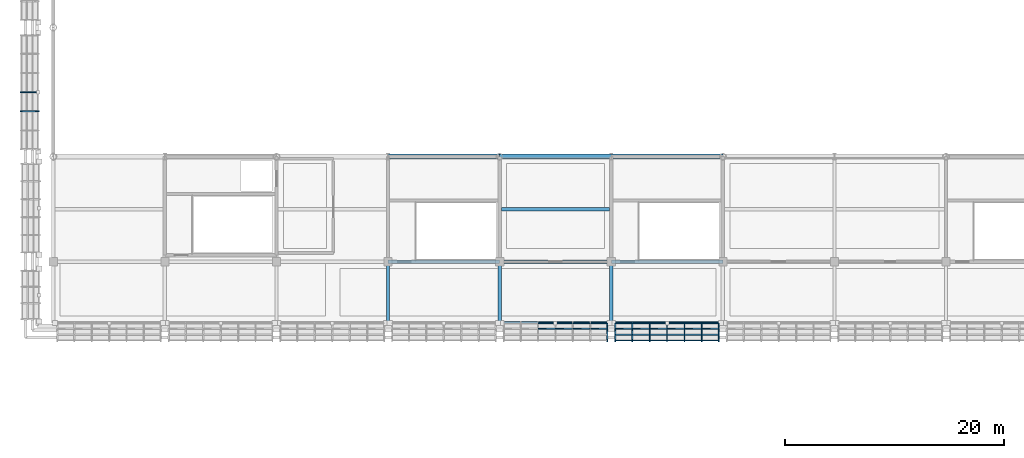
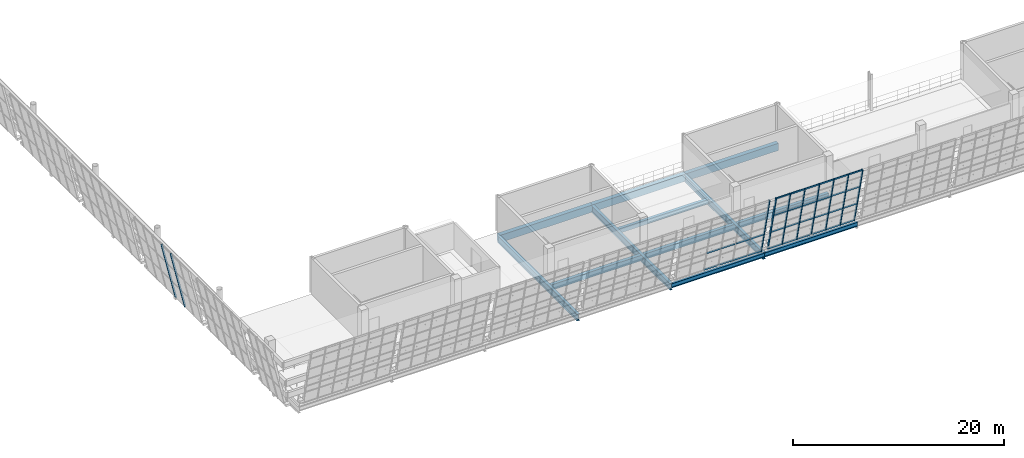
# One storey, part 25 of 157: 42 members, 12 beams, 3 elements without a shape of their own.
"""IFC4 building model written with IfcOpenShell, lengths in metres."""

from ifc_helpers import new_model, si_unit, direction, frame, origin, origin_2d, place, context, subcontext, project, spatial, rectangle, hollow_rectangle, i_section, extrude, material, material_profile, profile_set, type_object, element, aggregate, save


model = new_model("IFC4")

# Units and contexts
model_context = context("Model", 3, precision=1e-05, world=origin(), true_north=direction((0.0, 1.0)))
body_context = subcontext(model_context, "Body", "Model", "MODEL_VIEW")
ifc_project = project(units=[si_unit("LENGTHUNIT", "METRE"), si_unit("AREAUNIT", "SQUARE_METRE"), si_unit("VOLUMEUNIT", "CUBIC_METRE"), si_unit("PLANEANGLEUNIT", "RADIAN"), si_unit("MASSUNIT", "GRAM", prefix="KILO")], contexts=[model_context])

# Site, building, storey
site_placement = place(None, origin())
site = spatial("IfcSite", under=ifc_project, at=site_placement, CompositionType="ELEMENT")
building_placement = place(site_placement, origin())
building = spatial("IfcBuilding", under=site, at=building_placement, Name="Brelvane Convention Centre", CompositionType="ELEMENT")
storey_placement = place(building_placement, frame((0.0, 0.0, 10.800048828125)))
storey = spatial("IfcBuildingStorey", under=building, at=storey_placement, Name="L02", CompositionType="ELEMENT", Elevation=10.800048828125)

# Curtain wall, member
ifc_material_1 = material(Name="Anodised Aluminium Alloy 6063-T6", Category="aluminium")
curtain_wall_type = type_object("IfcCurtainWallType", Name="Curtain Wall CW-HULL-S", PredefinedType="USERDEFINED", material=ifc_material_1)
curtain_wall_1_placement = place(storey_placement, origin())
curtain_wall_1 = element("IfcCurtainWall", 1, at=curtain_wall_1_placement, inside=storey, type_object=curtain_wall_type, Name="Curtain Wall CW-HULL-S L02-HULL-S-L02-05", ObjectType="UNITISED", PredefinedType="USERDEFINED")
ifc_material_2 = material(Name="Anodised Aluminium Alloy 6063-T6", Category="aluminium")
ifc_material_profile_1 = material_profile(ifc_material_2, hollow_rectangle(XDim=0.080078125, YDim=0.239990234375, WallThickness=0.006103515625, InnerFilletRadius=0.006103515625, OuterFilletRadius=0.011962890625, at=origin_2d()), Name="ALU-M 240x80x6.0")
ifc_profile_set_1 = profile_set([ifc_material_profile_1], Name="Anodised Aluminium Alloy 6063-T6")
member_type_1 = type_object("IfcMemberType", Name="Curtain Mullion CW-M1", PredefinedType="MULLION", material=ifc_profile_set_1)
member_1_placement = place(storey_placement, frame((50.639892578125, 13.60009765625, 0.0), z_axis=(0.0, -0.228360410362, 0.973576665178), x_axis=(1.0, 0.0, 0.0)))
member_1 = element("IfcMember", 2, at=member_1_placement, type_object=member_type_1, Name="CW-HULL-S mullion 7", PredefinedType="MULLION", context=body_context, shape_type="SweptSolid", body=[
    extrude(hollow_rectangle(XDim=0.080078125, YDim=0.239990234375, WallThickness=0.006103515625, InnerFilletRadius=0.006103515625, OuterFilletRadius=0.011962890625, at=origin_2d()), origin(), (0.0, 0.0, 1.0), 7.03564453125),
])

# Curtain wall, members
curtain_wall_2_placement = place(storey_placement, origin())
curtain_wall_2 = element("IfcCurtainWall", 3, at=curtain_wall_2_placement, inside=storey, type_object=curtain_wall_type, Name="Curtain Wall CW-HULL-S L02-HULL-S-L02-06", ObjectType="UNITISED", PredefinedType="USERDEFINED")
member_2_placement = place(storey_placement, frame((51.360107421875, 13.60009765625, 0.0), z_axis=(0.0, -0.228360410362, 0.973576665178), x_axis=(1.0, 0.0, 0.0)))
member_2 = element("IfcMember", 4, at=member_2_placement, type_object=member_type_1, Name="CW-HULL-S mullion 1", PredefinedType="MULLION", context=body_context, shape_type="SweptSolid", body=[
    extrude(hollow_rectangle(XDim=0.080078125, YDim=0.239990234375, WallThickness=0.006103515625, InnerFilletRadius=0.006103515625, OuterFilletRadius=0.011962890625, at=origin_2d()), origin(), (0.0, 0.0, 1.0), 7.03564453125),
])
member_3_placement = place(storey_placement, frame((52.913330078125, 13.60009765625, 0.0), z_axis=(0.0, -0.228360410362, 0.973576665178), x_axis=(1.0, 0.0, 0.0)))
member_3 = element("IfcMember", 5, at=member_3_placement, type_object=member_type_1, Name="CW-HULL-S mullion 2", PredefinedType="MULLION", context=body_context, shape_type="SweptSolid", body=[
    extrude(hollow_rectangle(XDim=0.080078125, YDim=0.239990234375, WallThickness=0.006103515625, InnerFilletRadius=0.006103515625, OuterFilletRadius=0.011962890625, at=origin_2d()), origin(), (0.0, 0.0, 1.0), 7.03564453125),
])
member_4_placement = place(storey_placement, frame((54.506591796875, 13.60009765625, 0.0), z_axis=(0.0, -0.228360410362, 0.973576665178), x_axis=(1.0, 0.0, 0.0)))
member_4 = element("IfcMember", 6, at=member_4_placement, type_object=member_type_1, Name="CW-HULL-S mullion 3", PredefinedType="MULLION", context=body_context, shape_type="SweptSolid", body=[
    extrude(hollow_rectangle(XDim=0.080078125, YDim=0.239990234375, WallThickness=0.006103515625, InnerFilletRadius=0.006103515625, OuterFilletRadius=0.011962890625, at=origin_2d()), origin(), (0.0, 0.0, 1.0), 7.03564453125),
])
member_5_placement = place(storey_placement, frame((56.10009765625, 13.60009765625, 0.0), z_axis=(0.0, -0.228360410362, 0.973576665178), x_axis=(1.0, 0.0, 0.0)))
member_5 = element("IfcMember", 7, at=member_5_placement, type_object=member_type_1, Name="CW-HULL-S mullion 4", PredefinedType="MULLION", context=body_context, shape_type="SweptSolid", body=[
    extrude(hollow_rectangle(XDim=0.080078125, YDim=0.239990234375, WallThickness=0.006103515625, InnerFilletRadius=0.006103515625, OuterFilletRadius=0.011962890625, at=origin_2d()), origin(), (0.0, 0.0, 1.0), 7.03564453125),
])
member_6_placement = place(storey_placement, frame((57.693359375, 13.60009765625, 0.0), z_axis=(0.0, -0.228360410362, 0.973576665178), x_axis=(1.0, 0.0, 0.0)))
member_6 = element("IfcMember", 8, at=member_6_placement, type_object=member_type_1, Name="CW-HULL-S mullion 5", PredefinedType="MULLION", context=body_context, shape_type="SweptSolid", body=[
    extrude(hollow_rectangle(XDim=0.080078125, YDim=0.239990234375, WallThickness=0.006103515625, InnerFilletRadius=0.006103515625, OuterFilletRadius=0.011962890625, at=origin_2d()), origin(), (0.0, 0.0, 1.0), 7.03564453125),
])
member_7_placement = place(storey_placement, frame((59.28662109375, 13.60009765625, 0.0), z_axis=(0.0, -0.228360410362, 0.973576665178), x_axis=(1.0, 0.0, 0.0)))
member_7 = element("IfcMember", 9, at=member_7_placement, type_object=member_type_1, Name="CW-HULL-S mullion 6", PredefinedType="MULLION", context=body_context, shape_type="SweptSolid", body=[
    extrude(hollow_rectangle(XDim=0.080078125, YDim=0.239990234375, WallThickness=0.006103515625, InnerFilletRadius=0.006103515625, OuterFilletRadius=0.011962890625, at=origin_2d()), origin(), (0.0, 0.0, 1.0), 7.03564453125),
])
member_8_placement = place(storey_placement, frame((60.840087890625, 13.60009765625, 0.0), z_axis=(0.0, -0.228360410362, 0.973576665178), x_axis=(1.0, 0.0, 0.0)))
member_8 = element("IfcMember", 10, at=member_8_placement, type_object=member_type_1, Name="CW-HULL-S mullion 7", PredefinedType="MULLION", context=body_context, shape_type="SweptSolid", body=[
    extrude(hollow_rectangle(XDim=0.080078125, YDim=0.239990234375, WallThickness=0.006103515625, InnerFilletRadius=0.006103515625, OuterFilletRadius=0.011962890625, at=origin_2d()), origin(), (0.0, 0.0, 1.0), 7.03564453125),
])

curtain_wall_3_placement = place(storey_placement, origin())
curtain_wall_3 = element("IfcCurtainWall", 11, at=curtain_wall_3_placement, inside=storey, type_object=curtain_wall_type, Name="Curtain Wall CW-HULL-S L02-HULL-W-L02-1", ObjectType="UNITISED", PredefinedType="USERDEFINED")
ifc_material_3 = material(Name="Anodised Aluminium Alloy 6063-T6", Category="aluminium")
ifc_material_profile_2 = material_profile(ifc_material_3, hollow_rectangle(XDim=0.074951171875, YDim=0.199951171875, WallThickness=0.0048828125, InnerFilletRadius=0.0048828125, OuterFilletRadius=0.010009765625, at=origin_2d()), Name="ALU-M 200x75x5.0")
ifc_profile_set_2 = profile_set([ifc_material_profile_2], Name="Anodised Aluminium Alloy 6063-T6")
member_type_2 = type_object("IfcMemberType", Name="Curtain Mullion CW-M2", PredefinedType="MULLION", material=ifc_profile_set_2)
member_9_placement = place(storey_placement, frame((-1.360107421875, 32.949951171875, 0.0), z_axis=(-0.228324840492, 0.0, 0.973585007698), x_axis=(0.0, -1.0, 0.0)))
member_9 = element("IfcMember", 12, at=member_9_placement, type_object=member_type_2, Name="CW-HULL-S mullion 3", PredefinedType="MULLION", context=body_context, shape_type="SweptSolid", body=[
    extrude(hollow_rectangle(XDim=0.074951171875, YDim=0.199951171875, WallThickness=0.0048828125, InnerFilletRadius=0.0048828125, OuterFilletRadius=0.010009765625, at=origin_2d()), origin(), (0.0, 0.0, 1.0), 6.93310546875),
])
member_10_placement = place(storey_placement, frame((-1.360107421875, 34.699951171875, 0.0), z_axis=(-0.228324840492, 0.0, 0.973585007698), x_axis=(0.0, -1.0, 0.0)))
member_10 = element("IfcMember", 13, at=member_10_placement, type_object=member_type_2, Name="CW-HULL-S mullion 4", PredefinedType="MULLION", context=body_context, shape_type="SweptSolid", body=[
    extrude(hollow_rectangle(XDim=0.074951171875, YDim=0.199951171875, WallThickness=0.0048828125, InnerFilletRadius=0.0048828125, OuterFilletRadius=0.010009765625, at=origin_2d()), origin(), (0.0, 0.0, 1.0), 6.93310546875),
])
aggregate(curtain_wall_3, [member_9, member_10])

# Member
ifc_material_4 = material(Name="Anodised Aluminium Alloy 6063-T6", Category="aluminium")
ifc_material_profile_3 = material_profile(ifc_material_4, hollow_rectangle(XDim=0.080078125, YDim=0.179931640625, WallThickness=0.0048828125, InnerFilletRadius=0.0048828125, OuterFilletRadius=0.010009765625, at=origin_2d()), Name="ALU-T 180x80x5.0")
ifc_profile_set_3 = profile_set([ifc_material_profile_3], Name="Anodised Aluminium Alloy 6063-T6")
member_type_3 = type_object("IfcMemberType", Name="Curtain Transom CW-T1", PredefinedType="USERDEFINED", material=ifc_profile_set_3)
member_11_placement = place(storey_placement, frame((44.3466796875, 13.590576171875, 0.0400390625), z_axis=(1.0, 0.0, 0.0), x_axis=(0.0, 1.0, 0.0)))
member_11 = element("IfcMember", 14, at=member_11_placement, type_object=member_type_3, Name="CW-HULL-S transom 3.1", ObjectType="TRANSOM", PredefinedType="USERDEFINED", context=body_context, shape_type="SweptSolid", body=[
    extrude(hollow_rectangle(XDim=0.080078125, YDim=0.179931640625, WallThickness=0.0048828125, InnerFilletRadius=0.0048828125, OuterFilletRadius=0.010009765625, at=origin_2d()), origin(), (0.0, 0.0, 1.0), 1.513427734375),
])

member_12_placement = place(storey_placement, frame((44.3466796875, 13.064453125, 2.283203125), z_axis=(1.0, 0.0, 0.0), x_axis=(0.0, 1.0, 0.0)))
member_12 = element("IfcMember", 15, at=member_12_placement, type_object=member_type_3, Name="CW-HULL-S transom 3.2", ObjectType="TRANSOM", PredefinedType="USERDEFINED", context=body_context, shape_type="SweptSolid", body=[
    extrude(hollow_rectangle(XDim=0.080078125, YDim=0.179931640625, WallThickness=0.0048828125, InnerFilletRadius=0.0048828125, OuterFilletRadius=0.010009765625, at=origin_2d()), origin(), (0.0, 0.0, 1.0), 1.513427734375),
])

member_13_placement = place(storey_placement, frame((45.93994140625, 13.590576171875, 0.0400390625), z_axis=(1.0, 0.0, 0.0), x_axis=(0.0, 1.0, 0.0)))
member_13 = element("IfcMember", 16, at=member_13_placement, type_object=member_type_3, Name="CW-HULL-S transom 4.1", ObjectType="TRANSOM", PredefinedType="USERDEFINED", context=body_context, shape_type="SweptSolid", body=[
    extrude(hollow_rectangle(XDim=0.080078125, YDim=0.179931640625, WallThickness=0.0048828125, InnerFilletRadius=0.0048828125, OuterFilletRadius=0.010009765625, at=origin_2d()), origin(), (0.0, 0.0, 1.0), 1.513427734375),
])

member_14_placement = place(storey_placement, frame((45.93994140625, 13.064453125, 2.283203125), z_axis=(1.0, 0.0, 0.0), x_axis=(0.0, 1.0, 0.0)))
member_14 = element("IfcMember", 17, at=member_14_placement, type_object=member_type_3, Name="CW-HULL-S transom 4.2", ObjectType="TRANSOM", PredefinedType="USERDEFINED", context=body_context, shape_type="SweptSolid", body=[
    extrude(hollow_rectangle(XDim=0.080078125, YDim=0.179931640625, WallThickness=0.0048828125, InnerFilletRadius=0.0048828125, OuterFilletRadius=0.010009765625, at=origin_2d()), origin(), (0.0, 0.0, 1.0), 1.513427734375),
])

member_15_placement = place(storey_placement, frame((47.533447265625, 13.590576171875, 0.0400390625), z_axis=(1.0, 0.0, 0.0), x_axis=(0.0, 1.0, 0.0)))
member_15 = element("IfcMember", 18, at=member_15_placement, type_object=member_type_3, Name="CW-HULL-S transom 5.1", ObjectType="TRANSOM", PredefinedType="USERDEFINED", context=body_context, shape_type="SweptSolid", body=[
    extrude(hollow_rectangle(XDim=0.080078125, YDim=0.179931640625, WallThickness=0.0048828125, InnerFilletRadius=0.0048828125, OuterFilletRadius=0.010009765625, at=origin_2d()), origin(), (0.0, 0.0, 1.0), 1.51318359375),
])

member_16_placement = place(storey_placement, frame((47.533447265625, 13.064453125, 2.283203125), z_axis=(1.0, 0.0, 0.0), x_axis=(0.0, 1.0, 0.0)))
member_16 = element("IfcMember", 19, at=member_16_placement, type_object=member_type_3, Name="CW-HULL-S transom 5.2", ObjectType="TRANSOM", PredefinedType="USERDEFINED", context=body_context, shape_type="SweptSolid", body=[
    extrude(hollow_rectangle(XDim=0.080078125, YDim=0.179931640625, WallThickness=0.0048828125, InnerFilletRadius=0.0048828125, OuterFilletRadius=0.010009765625, at=origin_2d()), origin(), (0.0, 0.0, 1.0), 1.51318359375),
])

member_17_placement = place(storey_placement, frame((49.126708984375, 13.590576171875, 0.0400390625), z_axis=(1.0, 0.0, 0.0), x_axis=(0.0, 1.0, 0.0)))
member_17 = element("IfcMember", 20, at=member_17_placement, type_object=member_type_3, Name="CW-HULL-S transom 6.1", ObjectType="TRANSOM", PredefinedType="USERDEFINED", context=body_context, shape_type="SweptSolid", body=[
    extrude(hollow_rectangle(XDim=0.080078125, YDim=0.179931640625, WallThickness=0.0048828125, InnerFilletRadius=0.0048828125, OuterFilletRadius=0.010009765625, at=origin_2d()), origin(), (0.0, 0.0, 1.0), 1.473388671875),
])

member_18_placement = place(storey_placement, frame((49.126708984375, 13.064453125, 2.283203125), z_axis=(1.0, 0.0, 0.0), x_axis=(0.0, 1.0, 0.0)))
member_18 = element("IfcMember", 21, at=member_18_placement, type_object=member_type_3, Name="CW-HULL-S transom 6.2", ObjectType="TRANSOM", PredefinedType="USERDEFINED", context=body_context, shape_type="SweptSolid", body=[
    extrude(hollow_rectangle(XDim=0.080078125, YDim=0.179931640625, WallThickness=0.0048828125, InnerFilletRadius=0.0048828125, OuterFilletRadius=0.010009765625, at=origin_2d()), origin(), (0.0, 0.0, 1.0), 1.473388671875),
])

aggregate(curtain_wall_1, [member_1, member_11, member_12, member_13, member_14, member_15, member_16, member_17, member_18])

member_19_placement = place(storey_placement, frame((51.39990234375, 13.590576171875, 0.0400390625), z_axis=(1.0, 0.0, 0.0), x_axis=(0.0, 1.0, 0.0)))
member_19 = element("IfcMember", 22, at=member_19_placement, type_object=member_type_3, Name="CW-HULL-S transom 1.1", ObjectType="TRANSOM", PredefinedType="USERDEFINED", context=body_context, shape_type="SweptSolid", body=[
    extrude(hollow_rectangle(XDim=0.080078125, YDim=0.179931640625, WallThickness=0.0048828125, InnerFilletRadius=0.0048828125, OuterFilletRadius=0.010009765625, at=origin_2d()), origin(), (0.0, 0.0, 1.0), 1.473388671875),
])

member_20_placement = place(storey_placement, frame((51.39990234375, 13.064453125, 2.283203125), z_axis=(1.0, 0.0, 0.0), x_axis=(0.0, 1.0, 0.0)))
member_20 = element("IfcMember", 23, at=member_20_placement, type_object=member_type_3, Name="CW-HULL-S transom 1.2", ObjectType="TRANSOM", PredefinedType="USERDEFINED", context=body_context, shape_type="SweptSolid", body=[
    extrude(hollow_rectangle(XDim=0.080078125, YDim=0.179931640625, WallThickness=0.0048828125, InnerFilletRadius=0.0048828125, OuterFilletRadius=0.010009765625, at=origin_2d()), origin(), (0.0, 0.0, 1.0), 1.473388671875),
])

member_21_placement = place(storey_placement, frame((51.39990234375, 12.52880859375, 4.566650390625), z_axis=(1.0, 0.0, 0.0), x_axis=(0.0, 1.0, 0.0)))
member_21 = element("IfcMember", 24, at=member_21_placement, type_object=member_type_3, Name="CW-HULL-S transom 1.3", ObjectType="TRANSOM", PredefinedType="USERDEFINED", context=body_context, shape_type="SweptSolid", body=[
    extrude(hollow_rectangle(XDim=0.080078125, YDim=0.179931640625, WallThickness=0.0048828125, InnerFilletRadius=0.0048828125, OuterFilletRadius=0.010009765625, at=origin_2d()), origin(), (0.0, 0.0, 1.0), 1.473388671875),
])

member_22_placement = place(storey_placement, frame((51.39990234375, 12.002685546875, 6.81005859375), z_axis=(1.0, 0.0, 0.0), x_axis=(0.0, 1.0, 0.0)))
member_22 = element("IfcMember", 25, at=member_22_placement, type_object=member_type_3, Name="CW-HULL-S transom 1.4", ObjectType="TRANSOM", PredefinedType="USERDEFINED", context=body_context, shape_type="SweptSolid", body=[
    extrude(hollow_rectangle(XDim=0.080078125, YDim=0.179931640625, WallThickness=0.0048828125, InnerFilletRadius=0.0048828125, OuterFilletRadius=0.010009765625, at=origin_2d()), origin(), (0.0, 0.0, 1.0), 1.473388671875),
])

member_23_placement = place(storey_placement, frame((52.953369140625, 13.590576171875, 0.0400390625), z_axis=(1.0, 0.0, 0.0), x_axis=(0.0, 1.0, 0.0)))
member_23 = element("IfcMember", 26, at=member_23_placement, type_object=member_type_3, Name="CW-HULL-S transom 2.1", ObjectType="TRANSOM", PredefinedType="USERDEFINED", context=body_context, shape_type="SweptSolid", body=[
    extrude(hollow_rectangle(XDim=0.080078125, YDim=0.179931640625, WallThickness=0.0048828125, InnerFilletRadius=0.0048828125, OuterFilletRadius=0.010009765625, at=origin_2d()), origin(), (0.0, 0.0, 1.0), 1.51318359375),
])

member_24_placement = place(storey_placement, frame((52.953369140625, 13.064453125, 2.283203125), z_axis=(1.0, 0.0, 0.0), x_axis=(0.0, 1.0, 0.0)))
member_24 = element("IfcMember", 27, at=member_24_placement, type_object=member_type_3, Name="CW-HULL-S transom 2.2", ObjectType="TRANSOM", PredefinedType="USERDEFINED", context=body_context, shape_type="SweptSolid", body=[
    extrude(hollow_rectangle(XDim=0.080078125, YDim=0.179931640625, WallThickness=0.0048828125, InnerFilletRadius=0.0048828125, OuterFilletRadius=0.010009765625, at=origin_2d()), origin(), (0.0, 0.0, 1.0), 1.51318359375),
])

member_25_placement = place(storey_placement, frame((52.953369140625, 12.52880859375, 4.566650390625), z_axis=(1.0, 0.0, 0.0), x_axis=(0.0, 1.0, 0.0)))
member_25 = element("IfcMember", 28, at=member_25_placement, type_object=member_type_3, Name="CW-HULL-S transom 2.3", ObjectType="TRANSOM", PredefinedType="USERDEFINED", context=body_context, shape_type="SweptSolid", body=[
    extrude(hollow_rectangle(XDim=0.080078125, YDim=0.179931640625, WallThickness=0.0048828125, InnerFilletRadius=0.0048828125, OuterFilletRadius=0.010009765625, at=origin_2d()), origin(), (0.0, 0.0, 1.0), 1.51318359375),
])

member_26_placement = place(storey_placement, frame((52.953369140625, 12.002685546875, 6.81005859375), z_axis=(1.0, 0.0, 0.0), x_axis=(0.0, 1.0, 0.0)))
member_26 = element("IfcMember", 29, at=member_26_placement, type_object=member_type_3, Name="CW-HULL-S transom 2.4", ObjectType="TRANSOM", PredefinedType="USERDEFINED", context=body_context, shape_type="SweptSolid", body=[
    extrude(hollow_rectangle(XDim=0.080078125, YDim=0.179931640625, WallThickness=0.0048828125, InnerFilletRadius=0.0048828125, OuterFilletRadius=0.010009765625, at=origin_2d()), origin(), (0.0, 0.0, 1.0), 1.51318359375),
])

member_27_placement = place(storey_placement, frame((54.546630859375, 13.590576171875, 0.0400390625), z_axis=(1.0, 0.0, 0.0), x_axis=(0.0, 1.0, 0.0)))
member_27 = element("IfcMember", 30, at=member_27_placement, type_object=member_type_3, Name="CW-HULL-S transom 3.1", ObjectType="TRANSOM", PredefinedType="USERDEFINED", context=body_context, shape_type="SweptSolid", body=[
    extrude(hollow_rectangle(XDim=0.080078125, YDim=0.179931640625, WallThickness=0.0048828125, InnerFilletRadius=0.0048828125, OuterFilletRadius=0.010009765625, at=origin_2d()), origin(), (0.0, 0.0, 1.0), 1.513427734375),
])

member_28_placement = place(storey_placement, frame((54.546630859375, 13.064453125, 2.283203125), z_axis=(1.0, 0.0, 0.0), x_axis=(0.0, 1.0, 0.0)))
member_28 = element("IfcMember", 31, at=member_28_placement, type_object=member_type_3, Name="CW-HULL-S transom 3.2", ObjectType="TRANSOM", PredefinedType="USERDEFINED", context=body_context, shape_type="SweptSolid", body=[
    extrude(hollow_rectangle(XDim=0.080078125, YDim=0.179931640625, WallThickness=0.0048828125, InnerFilletRadius=0.0048828125, OuterFilletRadius=0.010009765625, at=origin_2d()), origin(), (0.0, 0.0, 1.0), 1.513427734375),
])

member_29_placement = place(storey_placement, frame((54.546630859375, 12.52880859375, 4.566650390625), z_axis=(1.0, 0.0, 0.0), x_axis=(0.0, 1.0, 0.0)))
member_29 = element("IfcMember", 32, at=member_29_placement, type_object=member_type_3, Name="CW-HULL-S transom 3.3", ObjectType="TRANSOM", PredefinedType="USERDEFINED", context=body_context, shape_type="SweptSolid", body=[
    extrude(hollow_rectangle(XDim=0.080078125, YDim=0.179931640625, WallThickness=0.0048828125, InnerFilletRadius=0.0048828125, OuterFilletRadius=0.010009765625, at=origin_2d()), origin(), (0.0, 0.0, 1.0), 1.513427734375),
])

member_30_placement = place(storey_placement, frame((54.546630859375, 12.002685546875, 6.81005859375), z_axis=(1.0, 0.0, 0.0), x_axis=(0.0, 1.0, 0.0)))
member_30 = element("IfcMember", 33, at=member_30_placement, type_object=member_type_3, Name="CW-HULL-S transom 3.4", ObjectType="TRANSOM", PredefinedType="USERDEFINED", context=body_context, shape_type="SweptSolid", body=[
    extrude(hollow_rectangle(XDim=0.080078125, YDim=0.179931640625, WallThickness=0.0048828125, InnerFilletRadius=0.0048828125, OuterFilletRadius=0.010009765625, at=origin_2d()), origin(), (0.0, 0.0, 1.0), 1.513427734375),
])

member_31_placement = place(storey_placement, frame((56.139892578125, 13.590576171875, 0.0400390625), z_axis=(1.0, 0.0, 0.0), x_axis=(0.0, 1.0, 0.0)))
member_31 = element("IfcMember", 34, at=member_31_placement, type_object=member_type_3, Name="CW-HULL-S transom 4.1", ObjectType="TRANSOM", PredefinedType="USERDEFINED", context=body_context, shape_type="SweptSolid", body=[
    extrude(hollow_rectangle(XDim=0.080078125, YDim=0.179931640625, WallThickness=0.0048828125, InnerFilletRadius=0.0048828125, OuterFilletRadius=0.010009765625, at=origin_2d()), origin(), (0.0, 0.0, 1.0), 1.513427734375),
])

member_32_placement = place(storey_placement, frame((56.139892578125, 13.064453125, 2.283203125), z_axis=(1.0, 0.0, 0.0), x_axis=(0.0, 1.0, 0.0)))
member_32 = element("IfcMember", 35, at=member_32_placement, type_object=member_type_3, Name="CW-HULL-S transom 4.2", ObjectType="TRANSOM", PredefinedType="USERDEFINED", context=body_context, shape_type="SweptSolid", body=[
    extrude(hollow_rectangle(XDim=0.080078125, YDim=0.179931640625, WallThickness=0.0048828125, InnerFilletRadius=0.0048828125, OuterFilletRadius=0.010009765625, at=origin_2d()), origin(), (0.0, 0.0, 1.0), 1.513427734375),
])

member_33_placement = place(storey_placement, frame((56.139892578125, 12.52880859375, 4.566650390625), z_axis=(1.0, 0.0, 0.0), x_axis=(0.0, 1.0, 0.0)))
member_33 = element("IfcMember", 36, at=member_33_placement, type_object=member_type_3, Name="CW-HULL-S transom 4.3", ObjectType="TRANSOM", PredefinedType="USERDEFINED", context=body_context, shape_type="SweptSolid", body=[
    extrude(hollow_rectangle(XDim=0.080078125, YDim=0.179931640625, WallThickness=0.0048828125, InnerFilletRadius=0.0048828125, OuterFilletRadius=0.010009765625, at=origin_2d()), origin(), (0.0, 0.0, 1.0), 1.513427734375),
])

member_34_placement = place(storey_placement, frame((56.139892578125, 12.002685546875, 6.81005859375), z_axis=(1.0, 0.0, 0.0), x_axis=(0.0, 1.0, 0.0)))
member_34 = element("IfcMember", 37, at=member_34_placement, type_object=member_type_3, Name="CW-HULL-S transom 4.4", ObjectType="TRANSOM", PredefinedType="USERDEFINED", context=body_context, shape_type="SweptSolid", body=[
    extrude(hollow_rectangle(XDim=0.080078125, YDim=0.179931640625, WallThickness=0.0048828125, InnerFilletRadius=0.0048828125, OuterFilletRadius=0.010009765625, at=origin_2d()), origin(), (0.0, 0.0, 1.0), 1.513427734375),
])

member_35_placement = place(storey_placement, frame((57.7333984375, 13.590576171875, 0.0400390625), z_axis=(1.0, 0.0, 0.0), x_axis=(0.0, 1.0, 0.0)))
member_35 = element("IfcMember", 38, at=member_35_placement, type_object=member_type_3, Name="CW-HULL-S transom 5.1", ObjectType="TRANSOM", PredefinedType="USERDEFINED", context=body_context, shape_type="SweptSolid", body=[
    extrude(hollow_rectangle(XDim=0.080078125, YDim=0.179931640625, WallThickness=0.0048828125, InnerFilletRadius=0.0048828125, OuterFilletRadius=0.010009765625, at=origin_2d()), origin(), (0.0, 0.0, 1.0), 1.51318359375),
])

member_36_placement = place(storey_placement, frame((57.7333984375, 13.064453125, 2.283203125), z_axis=(1.0, 0.0, 0.0), x_axis=(0.0, 1.0, 0.0)))
member_36 = element("IfcMember", 39, at=member_36_placement, type_object=member_type_3, Name="CW-HULL-S transom 5.2", ObjectType="TRANSOM", PredefinedType="USERDEFINED", context=body_context, shape_type="SweptSolid", body=[
    extrude(hollow_rectangle(XDim=0.080078125, YDim=0.179931640625, WallThickness=0.0048828125, InnerFilletRadius=0.0048828125, OuterFilletRadius=0.010009765625, at=origin_2d()), origin(), (0.0, 0.0, 1.0), 1.51318359375),
])

member_37_placement = place(storey_placement, frame((57.7333984375, 12.52880859375, 4.566650390625), z_axis=(1.0, 0.0, 0.0), x_axis=(0.0, 1.0, 0.0)))
member_37 = element("IfcMember", 40, at=member_37_placement, type_object=member_type_3, Name="CW-HULL-S transom 5.3", ObjectType="TRANSOM", PredefinedType="USERDEFINED", context=body_context, shape_type="SweptSolid", body=[
    extrude(hollow_rectangle(XDim=0.080078125, YDim=0.179931640625, WallThickness=0.0048828125, InnerFilletRadius=0.0048828125, OuterFilletRadius=0.010009765625, at=origin_2d()), origin(), (0.0, 0.0, 1.0), 1.51318359375),
])

member_38_placement = place(storey_placement, frame((57.7333984375, 12.002685546875, 6.81005859375), z_axis=(1.0, 0.0, 0.0), x_axis=(0.0, 1.0, 0.0)))
member_38 = element("IfcMember", 41, at=member_38_placement, type_object=member_type_3, Name="CW-HULL-S transom 5.4", ObjectType="TRANSOM", PredefinedType="USERDEFINED", context=body_context, shape_type="SweptSolid", body=[
    extrude(hollow_rectangle(XDim=0.080078125, YDim=0.179931640625, WallThickness=0.0048828125, InnerFilletRadius=0.0048828125, OuterFilletRadius=0.010009765625, at=origin_2d()), origin(), (0.0, 0.0, 1.0), 1.51318359375),
])

member_39_placement = place(storey_placement, frame((59.32666015625, 13.590576171875, 0.0400390625), z_axis=(1.0, 0.0, 0.0), x_axis=(0.0, 1.0, 0.0)))
member_39 = element("IfcMember", 42, at=member_39_placement, type_object=member_type_3, Name="CW-HULL-S transom 6.1", ObjectType="TRANSOM", PredefinedType="USERDEFINED", context=body_context, shape_type="SweptSolid", body=[
    extrude(hollow_rectangle(XDim=0.080078125, YDim=0.179931640625, WallThickness=0.0048828125, InnerFilletRadius=0.0048828125, OuterFilletRadius=0.010009765625, at=origin_2d()), origin(), (0.0, 0.0, 1.0), 1.473388671875),
])

member_40_placement = place(storey_placement, frame((59.32666015625, 13.064453125, 2.283203125), z_axis=(1.0, 0.0, 0.0), x_axis=(0.0, 1.0, 0.0)))
member_40 = element("IfcMember", 43, at=member_40_placement, type_object=member_type_3, Name="CW-HULL-S transom 6.2", ObjectType="TRANSOM", PredefinedType="USERDEFINED", context=body_context, shape_type="SweptSolid", body=[
    extrude(hollow_rectangle(XDim=0.080078125, YDim=0.179931640625, WallThickness=0.0048828125, InnerFilletRadius=0.0048828125, OuterFilletRadius=0.010009765625, at=origin_2d()), origin(), (0.0, 0.0, 1.0), 1.473388671875),
])

member_41_placement = place(storey_placement, frame((59.32666015625, 12.52880859375, 4.566650390625), z_axis=(1.0, 0.0, 0.0), x_axis=(0.0, 1.0, 0.0)))
member_41 = element("IfcMember", 44, at=member_41_placement, type_object=member_type_3, Name="CW-HULL-S transom 6.3", ObjectType="TRANSOM", PredefinedType="USERDEFINED", context=body_context, shape_type="SweptSolid", body=[
    extrude(hollow_rectangle(XDim=0.080078125, YDim=0.179931640625, WallThickness=0.0048828125, InnerFilletRadius=0.0048828125, OuterFilletRadius=0.010009765625, at=origin_2d()), origin(), (0.0, 0.0, 1.0), 1.473388671875),
])

member_42_placement = place(storey_placement, frame((59.32666015625, 12.002685546875, 6.81005859375), z_axis=(1.0, 0.0, 0.0), x_axis=(0.0, 1.0, 0.0)))
member_42 = element("IfcMember", 45, at=member_42_placement, type_object=member_type_3, Name="CW-HULL-S transom 6.4", ObjectType="TRANSOM", PredefinedType="USERDEFINED", context=body_context, shape_type="SweptSolid", body=[
    extrude(hollow_rectangle(XDim=0.080078125, YDim=0.179931640625, WallThickness=0.0048828125, InnerFilletRadius=0.0048828125, OuterFilletRadius=0.010009765625, at=origin_2d()), origin(), (0.0, 0.0, 1.0), 1.473388671875),
])

aggregate(curtain_wall_2, [member_2, member_3, member_4, member_5, member_6, member_7, member_8, member_19, member_20, member_21, member_22, member_23, member_24, member_25, member_26, member_27, member_28, member_29, member_30, member_31, member_32, member_33, member_34, member_35, member_36, member_37, member_38, member_39, member_40, member_41, member_42])

# Beams
ifc_material_5 = material(Name="Concrete M40", Category="concrete")
ifc_material_profile_4 = material_profile(ifc_material_5, rectangle(XDim=0.4599609375, YDim=0.840087890625, at=origin_2d()), Name="RC 460x840")
ifc_profile_set_4 = profile_set([ifc_material_profile_4], Name="Concrete M40")
beam_type_1 = type_object("IfcBeamType", Name="RC Beam B-RC11 (RC 460x840)", PredefinedType="BEAM", material=ifc_profile_set_4)
for number, where, z_axis, x_axis, name in (
    (46, (30.60009765625, 28.800048828125, -0.699951171875), (1.0, 0.0, 0.0), (0.0, 1.0, 0.0), "L02 Beam 4-5/D"),
    (47, (40.800048828125, 28.800048828125, -0.699951171875), (1.0, 0.0, 0.0), (0.0, 1.0, 0.0), "L02 Beam 5-6/D"),
    (48, (51.0, 28.800048828125, -0.699951171875), (1.0, 0.0, 0.0), (0.0, 1.0, 0.0), "L02 Beam 6-7/D"),
):
    element("IfcBeam", number, at=place(storey_placement, frame(where, z_axis=z_axis, x_axis=x_axis)), inside=storey, type_object=beam_type_1, Name=name, PredefinedType="BEAM", context=body_context, shape_type="SweptSolid", body=[
        extrude(rectangle(XDim=0.4599609375, YDim=0.840087890625, at=origin_2d()), origin(), (0.0, 0.0, 1.0), 10.199951171875),
    ])
ifc_material_6 = material(Name="Concrete M40", Category="concrete")
ifc_material_profile_5 = material_profile(ifc_material_6, rectangle(XDim=0.320068359375, YDim=0.52001953125, at=origin_2d()), Name="RC 320x520")
ifc_profile_set_5 = profile_set([ifc_material_profile_5], Name="Concrete M40")
beam_type_2 = type_object("IfcBeamType", Name="RC Joist J-RC4 (RC 320x520)", PredefinedType="JOIST", material=ifc_profile_set_5)
beam_placement = place(storey_placement, frame((40.949951171875, 24.0, -0.5400390625), z_axis=(1.0, 0.0, 0.0), x_axis=(0.0, 1.0, 0.0)))
element("IfcBeam", 49, at=beam_placement, inside=storey, type_object=beam_type_2, Name="L02 Secondary Joist 5-6/CD", PredefinedType="JOIST", context=body_context, shape_type="SweptSolid", body=[
    extrude(rectangle(XDim=0.320068359375, YDim=0.52001953125, at=origin_2d()), origin(), (0.0, 0.0, 1.0), 9.900146484375),
])
ifc_material_7 = material(Name="Concrete M40", Category="concrete")
ifc_material_profile_6 = material_profile(ifc_material_7, rectangle(XDim=0.360107421875, YDim=0.639892578125, at=origin_2d()), Name="RC 360x640")
ifc_profile_set_6 = profile_set([ifc_material_profile_6], Name="Concrete M40")
beam_type_3 = type_object("IfcBeamType", Name="RC Spandrel SP-RC3 (RC 360x640)", PredefinedType="SPANDREL", material=ifc_profile_set_6)
for number, where, z_axis, x_axis, name in (
    (50, (30.60009765625, 19.199951171875, -0.60009765625), (1.0, 0.0, 0.0), (0.0, 1.0, 0.0), "L02 Beam 4-5/C"),
    (51, (40.800048828125, 19.199951171875, -0.60009765625), (1.0, 0.0, 0.0), (0.0, 1.0, 0.0), "L02 Beam 5-6/C"),
    (52, (51.0, 19.199951171875, -0.60009765625), (1.0, 0.0, 0.0), (0.0, 1.0, 0.0), "L02 Beam 6-7/C"),
):
    element("IfcBeam", number, at=place(storey_placement, frame(where, z_axis=z_axis, x_axis=x_axis)), inside=storey, type_object=beam_type_3, Name=name, PredefinedType="SPANDREL", context=body_context, shape_type="SweptSolid", body=[
        extrude(rectangle(XDim=0.360107421875, YDim=0.639892578125, at=origin_2d()), origin(), (0.0, 0.0, 1.0), 10.199951171875),
    ])
ifc_material_8 = material(Name="Steel E450 (450 MPa)", Category="steel")
ifc_material_profile_7 = material_profile(ifc_material_8, i_section(OverallWidth=0.300048828125, OverallDepth=0.800048828125, WebThickness=0.015380859375, FlangeThickness=0.030029296875, FilletRadius=0.027099609375, at=origin_2d()), Name="NPB 800x300")
ifc_profile_set_7 = profile_set([ifc_material_profile_7], Name="Steel E450 (450 MPa)")
beam_type_4 = type_object("IfcBeamType", Name="Steel Beam B-ST2 (NPB 800x300)", PredefinedType="BEAM", material=ifc_profile_set_7)
for number, where, z_axis, x_axis, name in (
    (53, (30.60009765625, 13.60009765625, -0.679931640625), (0.0, 1.0, 0.0), (-1.0, 0.0, 0.0), "L02 Hull Cantilever Girder 4"),
    (54, (40.800048828125, 13.60009765625, -0.679931640625), (0.0, 1.0, 0.0), (-1.0, 0.0, 0.0), "L02 Hull Cantilever Girder 5"),
    (55, (51.0, 13.60009765625, -0.679931640625), (0.0, 1.0, 0.0), (-1.0, 0.0, 0.0), "L02 Hull Cantilever Girder 6"),
):
    element("IfcBeam", number, at=place(storey_placement, frame(where, z_axis=z_axis, x_axis=x_axis)), inside=storey, type_object=beam_type_4, Name=name, PredefinedType="BEAM", context=body_context, shape_type="SweptSolid", body=[
        extrude(i_section(OverallWidth=0.300048828125, OverallDepth=0.800048828125, WebThickness=0.015380859375, FlangeThickness=0.030029296875, FilletRadius=0.027099609375, at=origin_2d()), origin(), (0.0, 0.0, 1.0), 15.199951171875),
    ])
ifc_material_9 = material(Name="Steel E350 (350 MPa)", Category="steel")
ifc_material_profile_8 = material_profile(ifc_material_9, i_section(OverallWidth=0.25, OverallDepth=0.5, WebThickness=0.010009765625, FlangeThickness=0.0146484375, FilletRadius=0.01611328125, at=origin_2d()), Name="ISWB 500")
ifc_profile_set_8 = profile_set([ifc_material_profile_8], Name="Steel E350 (350 MPa)")
beam_type_5 = type_object("IfcBeamType", Name="Steel Spandrel SP-ST1 (ISWB 500)", PredefinedType="SPANDREL", material=ifc_profile_set_8)
for number, where, z_axis, x_axis, name in (
    (56, (40.800048828125, 13.60009765625, -0.530029296875), (1.0, 0.0, 0.0), (0.0, 1.0, 0.0), "L02 Hull Overhang Edge Spandrel 5"),
    (57, (51.0, 13.60009765625, -0.530029296875), (1.0, 0.0, 0.0), (0.0, 1.0, 0.0), "L02 Hull Overhang Edge Spandrel 6"),
):
    element("IfcBeam", number, at=place(storey_placement, frame(where, z_axis=z_axis, x_axis=x_axis)), inside=storey, type_object=beam_type_5, Name=name, PredefinedType="SPANDREL", context=body_context, shape_type="SweptSolid", body=[
        extrude(i_section(OverallWidth=0.25, OverallDepth=0.5, WebThickness=0.010009765625, FlangeThickness=0.0146484375, FilletRadius=0.01611328125, at=origin_2d()), origin(), (0.0, 0.0, 1.0), 10.199951171875),
    ])

save(model, "model.ifc")
